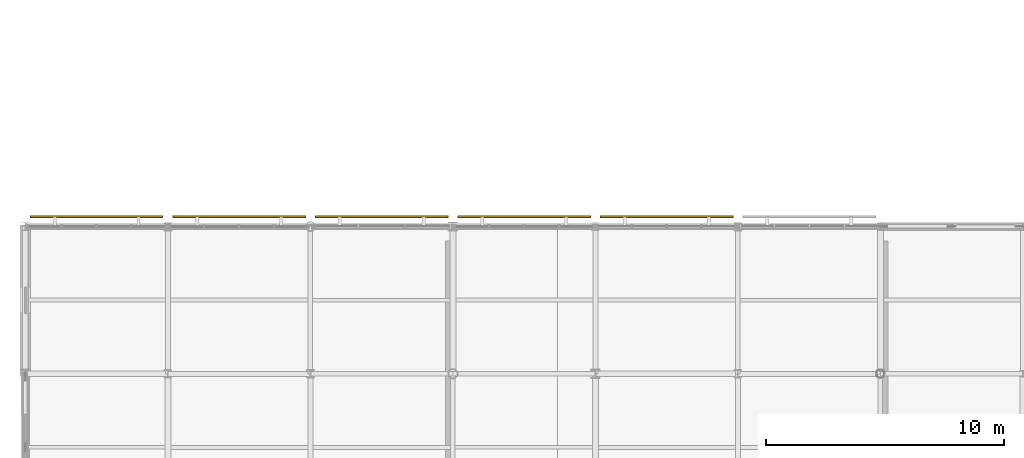
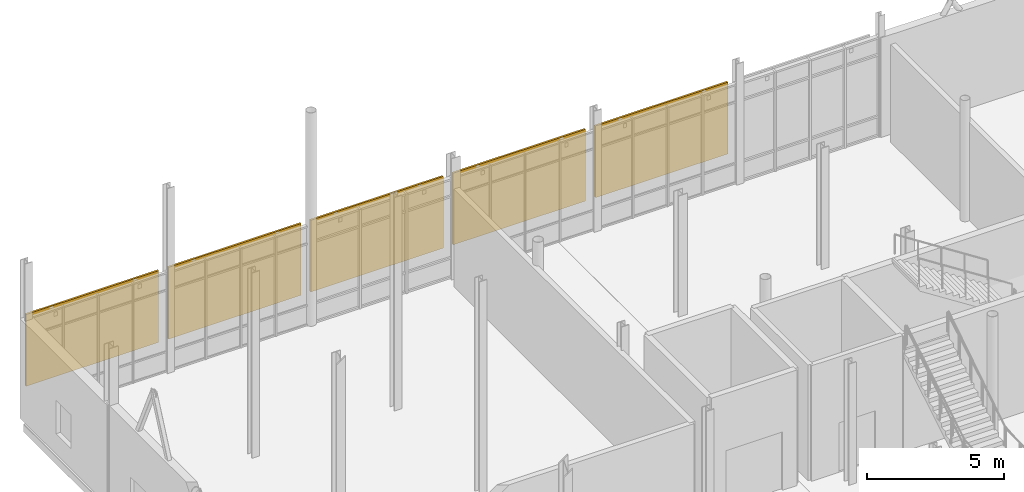
# One storey, part 96 of 105: 5 shading devices.
"""IFC4 building model written with IfcOpenShell, lengths in metres."""

from ifc_helpers import new_model, si_unit, direction, frame, origin, origin_2d, place, context, subcontext, project, spatial, rectangle, extrude, material, layer, layer_set, type_object, element, save


model = new_model("IFC4")

# Units and contexts
model_context = context("Model", 3, precision=1e-05, world=origin(), true_north=direction((0.0, 1.0)))
body_context = subcontext(model_context, "Body", "Model", "MODEL_VIEW")
ifc_project = project(units=[si_unit("LENGTHUNIT", "METRE"), si_unit("AREAUNIT", "SQUARE_METRE"), si_unit("VOLUMEUNIT", "CUBIC_METRE"), si_unit("PLANEANGLEUNIT", "RADIAN"), si_unit("MASSUNIT", "GRAM", prefix="KILO")], contexts=[model_context])

# Site, building, storey
site_placement = place(None, origin())
site = spatial("IfcSite", under=ifc_project, at=site_placement, CompositionType="ELEMENT")
building_placement = place(site_placement, origin())
building = spatial("IfcBuilding", under=site, at=building_placement, Name="Mirzam Square Science Centre", CompositionType="ELEMENT")
storey_placement = place(building_placement, frame((0.0, 0.0, 5.39990234375)))
storey = spatial("IfcBuildingStorey", under=building, at=storey_placement, Name="L01", CompositionType="ELEMENT", Elevation=5.39990234375)

# Shading devices
ifc_material = material(Name="Perforated Bronze-Anodised Aluminium Brise-Soleil", Category="aluminium")
ifc_layer = layer(ifc_material, 0.080078125)
ifc_layer_set = layer_set([ifc_layer], Name="SHD-BRISE-BRONZE")
shading_device_type = type_object("IfcShadingDeviceType", Name="SHD-BRISE-BRONZE", PredefinedType="JALOUSIE", material=ifc_layer_set)
for number, where, z_axis, x_axis, name in (
    (1, (3.0, 81.010009765625, 1.09033203125), (0.0, 0.0, 1.0), (-1.0, 0.0, 0.0), "L01 bronze brise-soleil screen 7"),
    (2, (9.0, 81.010009765625, 1.09033203125), (0.0, 0.0, 1.0), (-1.0, 0.0, 0.0), "L01 bronze brise-soleil screen 8"),
    (3, (15.0, 81.010009765625, 1.09033203125), (0.0, 0.0, 1.0), (-1.0, 0.0, 0.0), "L01 bronze brise-soleil screen 9"),
    (4, (21.0, 81.010009765625, 1.09033203125), (0.0, 0.0, 1.0), (-1.0, 0.0, 0.0), "L01 bronze brise-soleil screen 10"),
    (5, (27.0, 81.010009765625, 1.09033203125), (0.0, 0.0, 1.0), (-1.0, 0.0, 0.0), "L01 bronze brise-soleil screen 11"),
):
    element("IfcShadingDevice", number, at=place(storey_placement, frame(where, z_axis=z_axis, x_axis=x_axis)), inside=storey, type_object=shading_device_type, Name=name, PredefinedType="JALOUSIE", context=body_context, shape_type="SweptSolid", body=[
        extrude(rectangle(XDim=5.590087890625, YDim=0.080078125, at=origin_2d()), origin(), (0.0, 0.0, 1.0), 3.199951171875),
    ])

save(model, "model.ifc")
